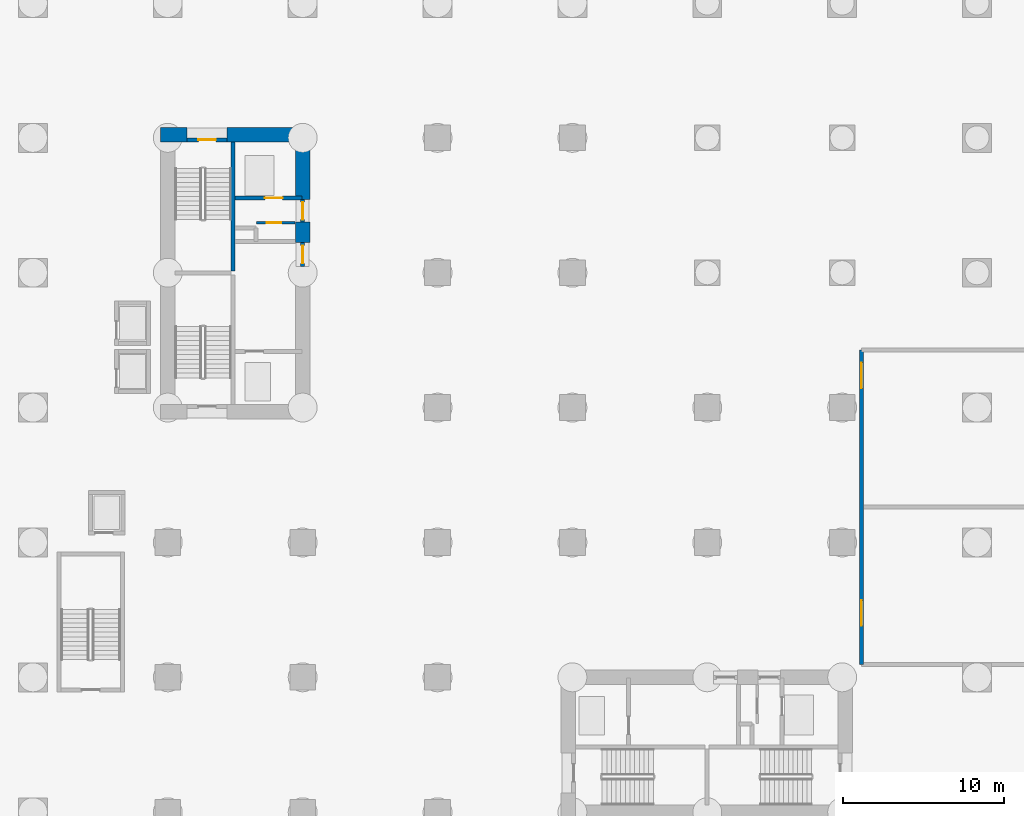
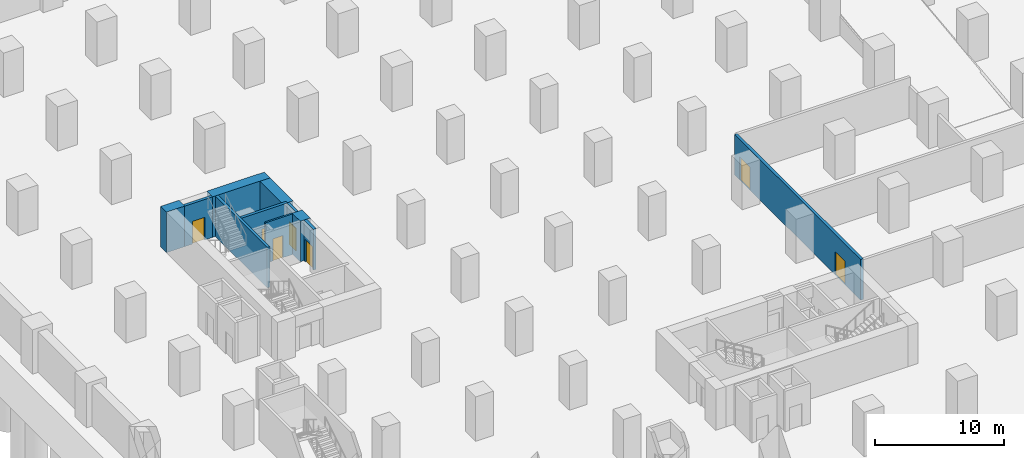
# One storey, part 7 of 12: 11 walls, 7 doors, 7 openings.
"""IFC4 building model written with IfcOpenShell, lengths in metres."""

import ifcopenshell
import ifcopenshell.guid

model = None  # the IFC model being written
_history = None  # IfcOwnerHistory: only IFC2X3 demands one
_inside = {}  # id of a spatial element -> (the spatial element, [elements in it])
_under = {}  # id of a project, library or spatial element -> (it, [spatial elements below it])
_declared = {}  # id of a project -> (the project, [libraries it declares])
_typed = {}  # id of a type object -> (the type object, [elements of that type])
_made_of = {}  # id of a material, layer set ... -> (it, [elements and type objects made of it])


def new_model(schema):
    """Start an empty IFC model of exactly this schema.

    Asked for "IFC4X3", IfcOpenShell would pick the latest addendum, in which some entities
    have other attributes; the version numbers below select the first issue.
    IFC2X3 requires an IfcOwnerHistory on every rooted entity: one is made here for all.
    """
    global model, _history
    if schema == "IFC4X3":
        model = ifcopenshell.file(schema_version=(4, 3, 0, 0))
    else:
        model = ifcopenshell.file(schema=schema)
    _inside.clear()
    _under.clear()
    _declared.clear()
    _typed.clear()
    _made_of.clear()
    _history = None
    if model.schema == "IFC2X3":
        org = make("IfcOrganization", Name="unknown")
        user = make(
            "IfcPersonAndOrganization",
            ThePerson=make("IfcPerson", FamilyName="unknown"),
            TheOrganization=org,
        )
        app = make(
            "IfcApplication",
            ApplicationDeveloper=org,
            Version="unknown",
            ApplicationFullName="unknown",
            ApplicationIdentifier="unknown",
        )
        _history = make(
            "IfcOwnerHistory",
            OwningUser=user,
            OwningApplication=app,
            ChangeAction="ADDED",
            CreationDate=0,
        )
    return model


def make(cls, **values):
    """One entity of the class cls with the attributes given. An attribute that is None is left unset."""
    return model.create_entity(
        cls, **{name: value for name, value in values.items() if value is not None}
    )


def rooted(cls, **values):
    """An entity with a GlobalId (a new one), such as an element, a storey or a relation."""
    return make(cls, GlobalId=ifcopenshell.guid.new(), OwnerHistory=_history, **values)


def si_unit(unit_type, name, prefix=None):
    """IfcSIUnit, for example si_unit("LENGTHUNIT", "METRE", prefix="MILLI")."""
    return make("IfcSIUnit", UnitType=unit_type, Prefix=prefix, Name=name)


def assignment(units):
    """IfcUnitAssignment: the units of a project."""
    return None if units is None else make("IfcUnitAssignment", Units=units)


def point(xyz):
    """IfcCartesianPoint."""
    return None if xyz is None else make("IfcCartesianPoint", Coordinates=xyz)


def direction(xyz):
    """IfcDirection."""
    return None if xyz is None else make("IfcDirection", DirectionRatios=xyz)


def frame(location, z_axis=None, x_axis=None):
    """IfcAxis2Placement3D, a coordinate frame: its origin and axes. An axis left out is left unset."""
    return make(
        "IfcAxis2Placement3D",
        Location=point(location),
        Axis=direction(z_axis),
        RefDirection=direction(x_axis),
    )


def frame_2d(location, x_axis=None):
    """IfcAxis2Placement2D, a coordinate frame in the plane: its origin and x axis."""
    return make(
        "IfcAxis2Placement2D", Location=point(location), RefDirection=direction(x_axis)
    )


def origin():
    """The frame at (0, 0, 0) with its axes left unset."""
    return frame((0.0, 0.0, 0.0))


def place(relative_to, where):
    """IfcLocalPlacement: puts the frame where relative to a parent placement (None: the world)."""
    return make(
        "IfcLocalPlacement", PlacementRelTo=relative_to, RelativePlacement=where
    )


def context(
    kind, dimensions, precision=None, world=None, true_north=None, identifier=None
):
    """IfcGeometricRepresentationContext, for example the 3D "Model" context."""
    return make(
        "IfcGeometricRepresentationContext",
        ContextIdentifier=identifier,
        ContextType=kind,
        CoordinateSpaceDimension=dimensions,
        Precision=precision,
        WorldCoordinateSystem=world,
        TrueNorth=true_north,
    )


def subcontext(parent, identifier, kind, view, scale=None):
    """IfcGeometricRepresentationSubContext, for example "Body" below "Model"."""
    return make(
        "IfcGeometricRepresentationSubContext",
        ContextIdentifier=identifier,
        ContextType=kind,
        ParentContext=parent,
        TargetScale=scale,
        TargetView=view,
    )


def project(units=None, contexts=None):
    """IfcProject with its units and contexts."""
    return rooted(
        "IfcProject",
        Name="project",
        RepresentationContexts=contexts,
        UnitsInContext=assignment(units),
    )


def spatial(cls, under=None, at=None, **own):
    """A site, building, storey or space (cls), placed at a placement, below another one or the project."""
    s = rooted(cls, ObjectPlacement=at, **own)
    if under is not None:
        _under.setdefault(under.id(), (under, []))[1].append(s)
    return s


def profile(cls, at=None, kind="AREA", **sizes):
    """A parametric profile (cls). Its sizes go by their IFC names, for example OverallWidth=200.0."""
    return make(cls, ProfileType=kind, Position=at, **sizes)


def rectangle(**sizes):
    """IfcRectangleProfileDef."""
    return profile("IfcRectangleProfileDef", **sizes)


def extrude(swept, where, along, depth):
    """IfcExtrudedAreaSolid: the profile swept, set in the frame where, extruded along a direction by depth."""
    return make(
        "IfcExtrudedAreaSolid",
        SweptArea=swept,
        Position=where,
        ExtrudedDirection=direction(along),
        Depth=depth,
    )


def shape(context_of_items, identifier, shape_type, items):
    """IfcShapeRepresentation: the items that make up one representation, for example the "Body"."""
    return make(
        "IfcShapeRepresentation",
        ContextOfItems=context_of_items,
        RepresentationIdentifier=identifier,
        RepresentationType=shape_type,
        Items=items,
    )


def material(Name=None, Category=None):
    """IfcMaterial."""
    return make("IfcMaterial", Name=Name, Category=Category)


def layer(
    of_material, thickness, ventilated=None, Name=None, Category=None, Priority=None
):
    """IfcMaterialLayer: one layer of a wall or slab, of a material (None: an air gap)."""
    return make(
        "IfcMaterialLayer",
        Material=of_material,
        LayerThickness=thickness,
        IsVentilated=ventilated,
        Name=Name,
        Category=Category,
        Priority=Priority,
    )


def layer_set(layers, Name=None):
    """IfcMaterialLayerSet."""
    return make("IfcMaterialLayerSet", MaterialLayers=layers, LayerSetName=Name)


def made_of(thing, what):
    """Note that an element or type object is made of a material, layer set ...; save() writes the relation."""
    if what is not None:
        _made_of.setdefault(what.id(), (what, []))[1].append(thing)
    return thing


def type_object(cls, material=None, **own):
    """A type object (cls), such as IfcWallType, which elements share."""
    return made_of(rooted(cls, **own), material)


def element(
    cls,
    number,
    at=None,
    inside=None,
    cuts=None,
    type_object=None,
    material=None,
    context=None,
    identifier="Body",
    shape_type=None,
    held_by="IfcProductDefinitionShape",
    body=None,
    shapes=None,
    **own,
):
    """One element of the class cls, such as IfcWall. Its Tag is "e" and its number.

    at: its placement. inside: the storey or other place that contains it. cuts: it is an
    opening in that element (IfcRelVoidsElement). A single representation is given by context,
    identifier, shape_type and body (its items); several are given by shapes. held_by: the class
    of the entity that holds the representations. save() writes the other relations.
    """
    e = rooted(cls, Tag="e%d" % number, ObjectPlacement=at, **own)
    if body is not None:
        shapes = [shape(context, identifier, shape_type, body)]
    if shapes is not None:
        e.Representation = make(held_by, Representations=shapes)
    if inside is not None:
        _inside.setdefault(inside.id(), (inside, []))[1].append(e)
    if cuts is not None:
        rooted(
            "IfcRelVoidsElement", RelatingBuildingElement=cuts, RelatedOpeningElement=e
        )
    if type_object is not None:
        _typed.setdefault(type_object.id(), (type_object, []))[1].append(e)
    return made_of(e, material)


def fill(opening, filler):
    """IfcRelFillsElement: the door or window that sits in an opening."""
    return rooted(
        "IfcRelFillsElement",
        RelatingOpeningElement=opening,
        RelatedBuildingElement=filler,
    )


def aggregate(whole, parts):
    """IfcRelAggregates: a whole, such as a stair, and the parts it consists of."""
    return rooted("IfcRelAggregates", RelatingObject=whole, RelatedObjects=parts)


def save(model, path):
    """Write the relations noted so far, then the file.

    IfcRelAggregates (storeys below a building ...), IfcRelContainedInSpatialStructure (elements
    in a storey), IfcRelDefinesByType, IfcRelAssociatesMaterial and IfcRelDeclares: one each for
    every whole, place, type object, material and project.
    """
    for whole, parts in _under.values():
        aggregate(whole, parts)
    for where, things in _inside.values():
        rooted(
            "IfcRelContainedInSpatialStructure",
            RelatedElements=things,
            RelatingStructure=where,
        )
    for kind, things in _typed.values():
        rooted("IfcRelDefinesByType", RelatedObjects=things, RelatingType=kind)
    for what, things in _made_of.values():
        rooted("IfcRelAssociatesMaterial", RelatedObjects=things, RelatingMaterial=what)
    for by, libraries in _declared.values():
        rooted("IfcRelDeclares", RelatingContext=by, RelatedDefinitions=libraries)
    model.write(path)


model = new_model("IFC4")

# Units and contexts
model_context = context("Model", 3, precision=1e-05, world=origin(), true_north=direction((0.0, 1.0)))
body_context = subcontext(model_context, "Body", "Model", "MODEL_VIEW")
ifc_project = project(units=[si_unit("LENGTHUNIT", "METRE"), si_unit("AREAUNIT", "SQUARE_METRE"), si_unit("VOLUMEUNIT", "CUBIC_METRE"), si_unit("PLANEANGLEUNIT", "RADIAN"), si_unit("MASSUNIT", "GRAM", prefix="KILO")], contexts=[model_context])

# Site, building, storey
site_placement = place(None, origin())
site = spatial("IfcSite", under=ifc_project, at=site_placement, CompositionType="ELEMENT")
building_placement = place(site_placement, origin())
building = spatial("IfcBuilding", under=site, at=building_placement, Name="Koriwani Terraces Tower", CompositionType="ELEMENT")
storey_placement = place(building_placement, frame((0.0, 0.0, -8.39990234375)))
storey = spatial("IfcBuildingStorey", under=building, at=storey_placement, Name="B02", CompositionType="ELEMENT", Elevation=-8.39990234375)

# Walls
ifc_material_1 = material(Name="Concrete C60/75", Category="concrete")
ifc_layer_1 = layer(ifc_material_1, 0.89990234375, Name="Concrete C60/75")
ifc_layer_set_1 = layer_set([ifc_layer_1], Name="Concrete C60/75")
wall_type_1 = type_object("IfcWallType", Name="WALL_CORE_RC_900", PredefinedType="SHEAR", material=ifc_layer_set_1)
wall_1_placement = place(storey_placement, frame((16.35009765625, 59.0, 0.0), z_axis=(0.0, 0.0, 1.0), x_axis=(1.0, 0.0, 0.0)))
element("IfcWall", 1, at=wall_1_placement, inside=storey, type_object=wall_type_1, Name="B02 West Split Core Shear Wall N1", PredefinedType="SHEAR", context=body_context, shape_type="SweptSolid", body=[
    extrude(rectangle(XDim=1.64990234375, YDim=0.89990234375, at=frame_2d((0.824951171875, 0.0))), origin(), (0.0, 0.0, 1.0), 3.849853515625),
])
wall_2_placement = place(storey_placement, frame((20.5, 59.0, 0.0), z_axis=(0.0, 0.0, 1.0), x_axis=(1.0, 0.0, 0.0)))
element("IfcWall", 2, at=wall_2_placement, inside=storey, type_object=wall_type_1, Name="B02 West Split Core Shear Wall N2", PredefinedType="SHEAR", context=body_context, shape_type="SweptSolid", body=[
    extrude(rectangle(XDim=5.14990234375, YDim=0.89990234375, at=frame_2d((2.574951171875, 0.0))), origin(), (0.0, 0.0, 1.0), 3.849853515625),
])
wall_3_placement = place(storey_placement, frame((25.199951171875, 52.280029296875, 0.0), z_axis=(0.0, 0.0, 1.0), x_axis=(0.0, 1.0, 0.0)))
element("IfcWall", 3, at=wall_3_placement, inside=storey, type_object=wall_type_1, Name="B02 West Split Core Shear Wall E2", PredefinedType="SHEAR", context=body_context, shape_type="SweptSolid", body=[
    extrude(rectangle(XDim=1.27001953125, YDim=0.89990234375, at=frame_2d((0.635009765625, 0.0))), origin(), (0.0, 0.0, 1.0), 3.849853515625),
])
wall_4_placement = place(storey_placement, frame((25.199951171875, 54.949951171875, 0.0), z_axis=(0.0, 0.0, 1.0), x_axis=(0.0, 1.0, 0.0)))
element("IfcWall", 4, at=wall_4_placement, inside=storey, type_object=wall_type_1, Name="B02 West Split Core Shear Wall E3", PredefinedType="SHEAR", context=body_context, shape_type="SweptSolid", body=[
    extrude(rectangle(XDim=3.60009765625, YDim=0.89990234375, at=frame_2d((1.800048828125, 0.0))), origin(), (0.0, 0.0, 1.0), 3.849853515625),
])
ifc_material_2 = material(Name="Concrete C40/50", Category="concrete")
ifc_layer_2 = layer(ifc_material_2, 0.25, Name="Concrete C40/50")
ifc_layer_set_2 = layer_set([ifc_layer_2], Name="Concrete C40/50")
wall_type_2 = type_object("IfcWallType", Name="WALL_SHAFT_RATED_250", PredefinedType="SOLIDWALL", material=ifc_layer_set_2)
wall_5_placement = place(storey_placement, frame((20.875, 50.5, 0.0), z_axis=(0.0, 0.0, 1.0), x_axis=(0.0, 1.0, 0.0)))
element("IfcWall", 5, at=wall_5_placement, inside=storey, type_object=wall_type_2, Name="B02 West Split Core Web Wall MID2", PredefinedType="SOLIDWALL", context=body_context, shape_type="SweptSolid", body=[
    extrude(rectangle(XDim=8.050048828125, YDim=0.25, at=frame_2d((4.02490234375, 0.0))), origin(), (0.0, 0.0, 1.0), 3.849853515625),
])

# Wall, opening, door
wall_6_placement = place(storey_placement, frame((18.0, 58.675048828125, 0.0), z_axis=(0.0, 0.0, 1.0), x_axis=(1.0, 0.0, 0.0)))
wall_6 = element("IfcWall", 6, at=wall_6_placement, inside=storey, type_object=wall_type_2, Name="B02 Interior Wall WIN-CW-B02-STN", PredefinedType="SOLIDWALL", context=body_context, shape_type="SweptSolid", body=[
    extrude(rectangle(XDim=2.5, YDim=0.25, at=frame_2d((1.25, 0.0))), origin(), (0.0, 0.0, 1.0), 3.849853515625),
])
opening_1_placement = place(wall_6_placement, frame((0.699951171875, 0.0, 0.0)))
opening_1 = element("IfcOpeningElement", 7, at=opening_1_placement, cuts=wall_6, Name="Opening D-03", PredefinedType="OPENING", context=body_context, shape_type="SweptSolid", body=[
    extrude(rectangle(XDim=1.10009765625, YDim=2.14990234375, at=frame_2d((0.550048828125, 1.074951171875))), frame((0.0, 0.135009765625, 0.0), z_axis=(0.0, -1.0, 0.0), x_axis=(1.0, 0.0, 0.0)), (0.0, 0.0, 1.0), 0.27001953125),
])
ifc_material_3 = material(Name="Steel ASTM A572 Grade 50", Category="steel")
door_type_1 = type_object("IfcDoorType", Name="DOOR_STAIR_FIRE_1100X2150", OperationType="NOTDEFINED", PredefinedType="DOOR", material=ifc_material_3)
door_1_placement = place(opening_1_placement, origin())
door_1 = element("IfcDoor", 8, at=door_1_placement, inside=storey, type_object=door_type_1, Name="B02 Exit Stair ST-W2 Door", OperationType="SINGLE_SWING_LEFT", OverallHeight=2.14990234375, OverallWidth=1.10009765625, PredefinedType="DOOR", context=body_context, shape_type="SweptSolid", body=[
    extrude(rectangle(XDim=1.10009765625, YDim=2.14990234375, at=frame_2d((0.550048828125, 1.074951171875))), frame((0.0, 0.02490234375, 0.0), z_axis=(0.0, -1.0, 0.0), x_axis=(1.0, 0.0, 0.0)), (0.0, 0.0, 1.0), 0.050048828125),
])
fill(opening_1, door_1)

wall_7_placement = place(storey_placement, frame((25.199951171875, 50.800048828125, 0.0), z_axis=(0.0, 0.0, 1.0), x_axis=(0.0, 1.0, 0.0)))
wall_7 = element("IfcWall", 9, at=wall_7_placement, inside=storey, type_object=wall_type_2, Name="B02 Interior Wall WIN-CW-B02-EP", PredefinedType="SOLIDWALL", context=body_context, shape_type="SweptSolid", body=[
    extrude(rectangle(XDim=1.47998046875, YDim=0.25, at=frame_2d((0.739990234375, 0.0))), origin(), (0.0, 0.0, 1.0), 3.849853515625),
])
opening_2_placement = place(wall_7_placement, frame((0.179931640625, 0.0, 0.0)))
opening_2 = element("IfcOpeningElement", 10, at=opening_2_placement, cuts=wall_7, Name="Opening D-03", PredefinedType="OPENING", context=body_context, shape_type="SweptSolid", body=[
    extrude(rectangle(XDim=1.10009765625, YDim=2.14990234375, at=frame_2d((0.550048828125, 1.074951171875))), frame((0.0, 0.135009765625, 0.0), z_axis=(0.0, -1.0, 0.0), x_axis=(1.0, 0.0, 0.0)), (0.0, 0.0, 1.0), 0.27001953125),
])
door_2_placement = place(opening_2_placement, origin())
door_2 = element("IfcDoor", 11, at=door_2_placement, inside=storey, type_object=door_type_1, Name="B02 West Firefighting Lobby Door", OperationType="SINGLE_SWING_RIGHT", OverallHeight=2.14990234375, OverallWidth=1.10009765625, PredefinedType="DOOR", context=body_context, shape_type="SweptSolid", body=[
    extrude(rectangle(XDim=1.10009765625, YDim=2.14990234375, at=frame_2d((0.550048828125, 1.074951171875))), frame((0.0, 0.02490234375, 0.0), z_axis=(0.0, -1.0, 0.0), x_axis=(1.0, 0.0, 0.0)), (0.0, 0.0, 1.0), 0.050048828125),
])
fill(opening_2, door_2)

wall_8_placement = place(storey_placement, frame((21.0, 55.050048828125, 0.0), z_axis=(0.0, 0.0, 1.0), x_axis=(1.0, 0.0, 0.0)))
wall_8 = element("IfcWall", 12, at=wall_8_placement, inside=storey, type_object=wall_type_2, Name="B02 Interior Wall WIN-CW-B02-SE", PredefinedType="SOLIDWALL", context=body_context, shape_type="SweptSolid", body=[
    extrude(rectangle(XDim=4.14990234375, YDim=0.25, at=frame_2d((2.074951171875, 0.0))), origin(), (0.0, 0.0, 1.0), 3.849853515625),
])
opening_3_placement = place(wall_8_placement, frame((1.85009765625, 0.0, 0.0)))
opening_3 = element("IfcOpeningElement", 13, at=opening_3_placement, cuts=wall_8, Name="Opening LD-01", PredefinedType="OPENING", context=body_context, shape_type="SweptSolid", body=[
    extrude(rectangle(XDim=1.10009765625, YDim=2.14990234375, at=frame_2d((0.550048828125, 1.074951171875))), frame((0.0, 0.135009765625, 0.0), z_axis=(0.0, -1.0, 0.0), x_axis=(1.0, 0.0, 0.0)), (0.0, 0.0, 1.0), 0.27001953125),
])
door_type_2 = type_object("IfcDoorType", Name="DOOR_LIFT_LANDING_1100X2200", OperationType="NOTDEFINED", PredefinedType="DOOR", material=ifc_material_3)
door_3_placement = place(opening_3_placement, origin())
door_3 = element("IfcDoor", 14, at=door_3_placement, inside=storey, type_object=door_type_2, Name="B02 Goods Lift SE-01 Landing Door", OperationType="SLIDING_TO_LEFT", OverallHeight=2.14990234375, OverallWidth=1.10009765625, PredefinedType="DOOR", context=body_context, shape_type="SweptSolid", body=[
    extrude(rectangle(XDim=1.10009765625, YDim=2.14990234375, at=frame_2d((0.550048828125, 1.074951171875))), frame((0.0, 0.02490234375, 0.0), z_axis=(0.0, -1.0, 0.0), x_axis=(1.0, 0.0, 0.0)), (0.0, 0.0, 1.0), 0.050048828125),
])
fill(opening_3, door_3)

wall_9_placement = place(storey_placement, frame((25.199951171875, 53.550048828125, 0.0), z_axis=(0.0, 0.0, 1.0), x_axis=(0.0, 1.0, 0.0)))
wall_9 = element("IfcWall", 15, at=wall_9_placement, inside=storey, type_object=wall_type_2, Name="B02 Interior Wall WIN-CW-B02-EP2", PredefinedType="SOLIDWALL", context=body_context, shape_type="SweptSolid", body=[
    extrude(rectangle(XDim=1.39990234375, YDim=0.25, at=frame_2d((0.699951171875, 0.0))), origin(), (0.0, 0.0, 1.0), 3.849853515625),
])
opening_4_placement = place(wall_9_placement, frame((0.14990234375, 0.0, 0.0)))
opening_4 = element("IfcOpeningElement", 16, at=opening_4_placement, cuts=wall_9, Name="Opening D-03", PredefinedType="OPENING", context=body_context, shape_type="SweptSolid", body=[
    extrude(rectangle(XDim=1.10009765625, YDim=2.14990234375, at=frame_2d((0.550048828125, 1.074951171875))), frame((0.0, 0.135009765625, 0.0), z_axis=(0.0, -1.0, 0.0), x_axis=(1.0, 0.0, 0.0)), (0.0, 0.0, 1.0), 0.27001953125),
])
door_4_placement = place(opening_4_placement, origin())
door_4 = element("IfcDoor", 17, at=door_4_placement, inside=storey, type_object=door_type_1, Name="B02 West Goods Lift Lobby Door", OperationType="SINGLE_SWING_LEFT", OverallHeight=2.14990234375, OverallWidth=1.10009765625, PredefinedType="DOOR", context=body_context, shape_type="SweptSolid", body=[
    extrude(rectangle(XDim=1.10009765625, YDim=2.14990234375, at=frame_2d((0.550048828125, 1.074951171875))), frame((0.0, 0.02490234375, 0.0), z_axis=(0.0, -1.0, 0.0), x_axis=(1.0, 0.0, 0.0)), (0.0, 0.0, 1.0), 0.050048828125),
])
fill(opening_4, door_4)

# Wall, openings, doors
wall_10_placement = place(storey_placement, frame((60.0, 26.0, 0.0), z_axis=(0.0, 0.0, 1.0), x_axis=(0.0, 1.0, 0.0)))
wall_10 = element("IfcWall", 18, at=wall_10_placement, inside=storey, type_object=wall_type_2, Name="B02 Interior Wall WBAS-B02-PL1", PredefinedType="SOLIDWALL", context=body_context, shape_type="SweptSolid", body=[
    extrude(rectangle(XDim=19.60009765625, YDim=0.25, at=frame_2d((9.800048828125, 0.0))), origin(), (0.0, 0.0, 1.0), 3.849853515625),
])
opening_5_placement = place(wall_10_placement, frame((2.39990234375, 0.0, 0.0)))
opening_5 = element("IfcOpeningElement", 19, at=opening_5_placement, cuts=wall_10, Name="Opening D-08", PredefinedType="OPENING", context=body_context, shape_type="SweptSolid", body=[
    extrude(rectangle(XDim=1.60009765625, YDim=2.199951171875, at=frame_2d((0.800048828125, 1.10009765625))), frame((0.0, 0.135009765625, 0.0), z_axis=(0.0, -1.0, 0.0), x_axis=(1.0, 0.0, 0.0)), (0.0, 0.0, 1.0), 0.27001953125),
])
opening_6_placement = place(wall_10_placement, frame((17.199951171875, 0.0, 0.0)))
opening_6 = element("IfcOpeningElement", 20, at=opening_6_placement, cuts=wall_10, Name="Opening D-08", PredefinedType="OPENING", context=body_context, shape_type="SweptSolid", body=[
    extrude(rectangle(XDim=1.60009765625, YDim=2.199951171875, at=frame_2d((0.800048828125, 1.10009765625))), frame((0.0, 0.135009765625, 0.0), z_axis=(0.0, -1.0, 0.0), x_axis=(1.0, 0.0, 0.0)), (0.0, 0.0, 1.0), 0.27001953125),
])
door_type_3 = type_object("IfcDoorType", Name="DOOR_PLANT_DOUBLE_1600X2200", OperationType="NOTDEFINED", PredefinedType="DOOR", material=ifc_material_3)
door_5_placement = place(opening_5_placement, origin())
door_5 = element("IfcDoor", 21, at=door_5_placement, inside=storey, type_object=door_type_3, Name="B02 Fire and Domestic Water Cistern Door", OperationType="SINGLE_SWING_RIGHT", OverallHeight=2.199951171875, OverallWidth=1.60009765625, PredefinedType="DOOR", context=body_context, shape_type="SweptSolid", body=[
    extrude(rectangle(XDim=1.60009765625, YDim=2.199951171875, at=frame_2d((0.800048828125, 1.10009765625))), frame((0.0, 0.02490234375, 0.0), z_axis=(0.0, -1.0, 0.0), x_axis=(1.0, 0.0, 0.0)), (0.0, 0.0, 1.0), 0.050048828125),
])
fill(opening_5, door_5)
door_6_placement = place(opening_6_placement, origin())
door_6 = element("IfcDoor", 22, at=door_6_placement, inside=storey, type_object=door_type_3, Name="B02 Medium-Voltage GIS Substation Door", OperationType="SINGLE_SWING_LEFT", OverallHeight=2.199951171875, OverallWidth=1.60009765625, PredefinedType="DOOR", context=body_context, shape_type="SweptSolid", body=[
    extrude(rectangle(XDim=1.60009765625, YDim=2.199951171875, at=frame_2d((0.800048828125, 1.10009765625))), frame((0.0, 0.02490234375, 0.0), z_axis=(0.0, -1.0, 0.0), x_axis=(1.0, 0.0, 0.0)), (0.0, 0.0, 1.0), 0.050048828125),
])
fill(opening_6, door_6)

# Wall, opening, door
ifc_material_4 = material(Name="Fire-Rated Acoustic Gypsum Partition", Category="masonry")
ifc_layer_3 = layer(ifc_material_4, 0.159912109375, Name="Fire-Rated Acoustic Gypsum Partition")
ifc_layer_set_3 = layer_set([ifc_layer_3], Name="Fire-Rated Acoustic Gypsum Partition")
wall_type_3 = type_object("IfcWallType", Name="WALL_SUITE_160", PredefinedType="PARTITIONING", material=ifc_layer_set_3)
wall_11_placement = place(storey_placement, frame((22.320068359375, 53.52001953125, 0.0), z_axis=(0.0, 0.0, 1.0), x_axis=(1.0, 0.0, 0.0)))
wall_11 = element("IfcWall", 23, at=wall_11_placement, inside=storey, type_object=wall_type_3, Name="B02 Interior Wall WIN-CW-B02-SV0", PredefinedType="PARTITIONING", context=body_context, shape_type="SweptSolid", body=[
    extrude(rectangle(XDim=2.39990234375, YDim=0.159912109375, at=frame_2d((1.199951171875, 0.0))), origin(), (0.0, 0.0, 1.0), 3.849853515625),
])
opening_7_placement = place(wall_11_placement, frame((0.64990234375, 0.0, 0.0)))
opening_7 = element("IfcOpeningElement", 24, at=opening_7_placement, cuts=wall_11, Name="Opening D-07", PredefinedType="OPENING", context=body_context, shape_type="SweptSolid", body=[
    extrude(rectangle(XDim=0.89990234375, YDim=2.10009765625, at=frame_2d((0.449951171875, 1.050048828125))), frame((0.0, 0.08984375, 0.0), z_axis=(0.0, -1.0, 0.0), x_axis=(1.0, 0.0, 0.0)), (0.0, 0.0, 1.0), 0.179931640625),
])
ifc_material_5 = material(Name="Architectural Oak Fire Door", Category="wood")
door_type_4 = type_object("IfcDoorType", Name="DOOR_BATH_INT_900X2100", OperationType="NOTDEFINED", PredefinedType="DOOR", material=ifc_material_5)
door_7_placement = place(opening_7_placement, origin())
door_7 = element("IfcDoor", 25, at=door_7_placement, inside=storey, type_object=door_type_4, Name="B02 West Electrical Switch Room Door", OperationType="SINGLE_SWING_RIGHT", OverallHeight=2.10009765625, OverallWidth=0.89990234375, PredefinedType="DOOR", context=body_context, shape_type="SweptSolid", body=[
    extrude(rectangle(XDim=0.89990234375, YDim=2.10009765625, at=frame_2d((0.449951171875, 1.050048828125))), frame((0.0, 0.02490234375, 0.0), z_axis=(0.0, -1.0, 0.0), x_axis=(1.0, 0.0, 0.0)), (0.0, 0.0, 1.0), 0.050048828125),
])
fill(opening_7, door_7)

save(model, "model.ifc")
